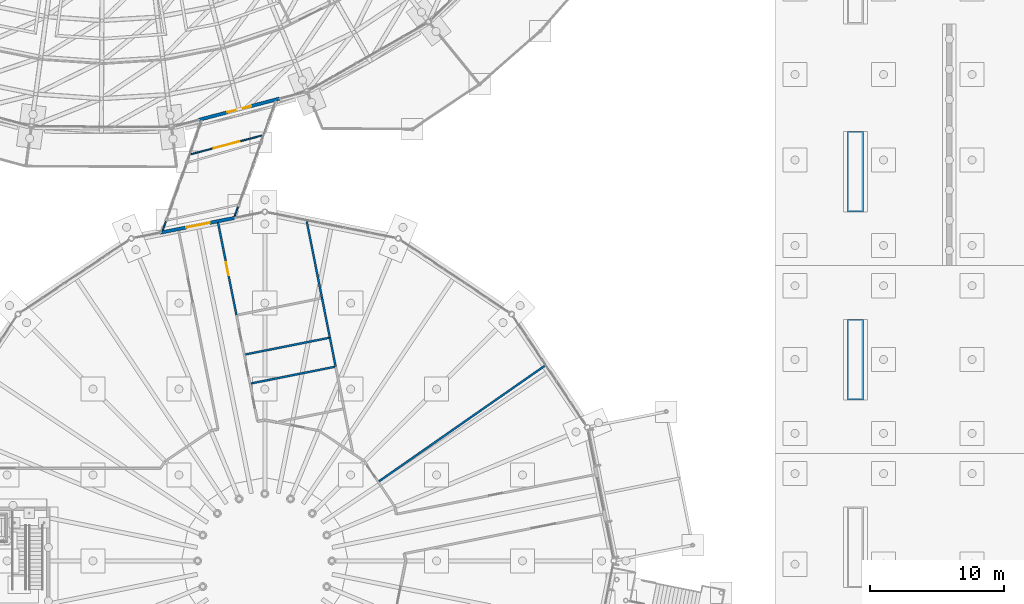
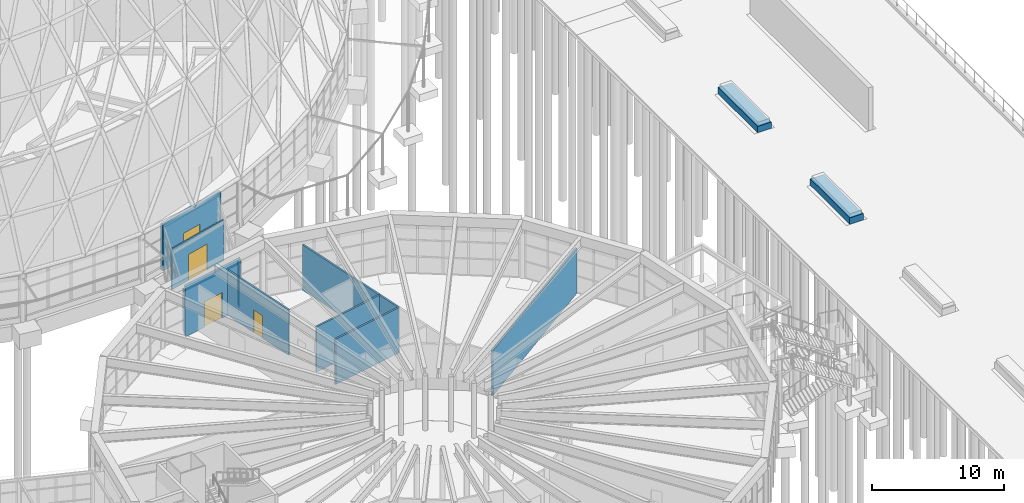
# One storey, part 174 of 226: 14 walls, 4 doors, 4 openings.
"""IFC4 building model written with IfcOpenShell, lengths in metres."""

from ifc_helpers import new_model, si_unit, direction, frame, frame_2d, origin, place, context, subcontext, project, spatial, polyline, rectangle, outline, extrude, material, layer, layer_set, type_object, element, fill, save


model = new_model("IFC4")

# Units and contexts
model_context = context("Model", 3, precision=1e-05, world=origin(), true_north=direction((0.0, 1.0)))
body_context = subcontext(model_context, "Body", "Model", "MODEL_VIEW")
ifc_project = project(units=[si_unit("LENGTHUNIT", "METRE"), si_unit("AREAUNIT", "SQUARE_METRE"), si_unit("VOLUMEUNIT", "CUBIC_METRE"), si_unit("PLANEANGLEUNIT", "RADIAN"), si_unit("MASSUNIT", "GRAM", prefix="KILO")], contexts=[model_context])

# Site, building, storey
site_placement = place(None, origin())
site = spatial("IfcSite", under=ifc_project, at=site_placement, CompositionType="ELEMENT")
building_placement = place(site_placement, origin())
building = spatial("IfcBuilding", under=site, at=building_placement, Name="Ceibo Conservatory and Research Tower", CompositionType="ELEMENT")
storey_placement = place(building_placement, origin())
storey = spatial("IfcBuildingStorey", under=building, at=storey_placement, Name="L00", CompositionType="ELEMENT", Elevation=0.0)

# Wall, opening, door
ifc_material_1 = material(Name="Aluminium and glass", Category="aluminium")
ifc_layer_1 = layer(ifc_material_1, 0.10009765625)
ifc_layer_set_1 = layer_set([ifc_layer_1], Name="Aluminium and glass")
wall_type_1 = type_object("IfcWallType", Name="Airlock screen wall 100", PredefinedType="PARTITIONING", material=ifc_layer_set_1)
wall_1_placement = place(storey_placement, frame((167.846923828125, 67.70556640625, 0.0), z_axis=(0.0, 0.0, 1.0), x_axis=(-0.967042735228, -0.254614116346, 0.0)))
wall_1 = element("IfcWall", 1, at=wall_1_placement, inside=storey, type_object=wall_type_1, Name="Airlock screen A-VC-AS0", PredefinedType="PARTITIONING", context=body_context, shape_type="SweptSolid", body=[
    extrude(rectangle(XDim=5.570068359375, YDim=0.10009765625, at=frame_2d((2.78515625, 0.0))), origin(), (0.0, 0.0, 1.0), 3.800048828125),
])
opening_1_placement = place(wall_1_placement, frame((1.784912109375, 0.0, 0.0)))
opening_1 = element("IfcOpeningElement", 2, at=opening_1_placement, cuts=wall_1, Name="Opening A-VC-AD0", PredefinedType="OPENING", context=body_context, shape_type="SweptSolid", body=[
    extrude(rectangle(XDim=2.0, YDim=2.39990234375, at=frame_2d((1.0, 1.199951171875))), frame((0.0, 0.06005859375, 0.0), z_axis=(0.0, -1.0, 0.0), x_axis=(1.0, 0.0, 0.0)), (0.0, 0.0, 1.0), 0.1201171875),
])
door_type_1 = type_object("IfcDoorType", Name="Gallery sliding door 2000x2400", OperationType="DOUBLE_DOOR_SLIDING", PredefinedType="DOOR", material=ifc_material_1)
door_1_placement = place(opening_1_placement, origin())
door_1 = element("IfcDoor", 3, at=door_1_placement, inside=storey, type_object=door_type_1, Name="Gallery airlock door A-VC-AD0", OperationType="DOUBLE_DOOR_SLIDING", OverallHeight=2.39990234375, OverallWidth=2.0, PredefinedType="DOOR", context=body_context, shape_type="SweptSolid", body=[
    extrude(rectangle(XDim=2.0, YDim=2.39990234375, at=frame_2d((1.0, 1.199951171875))), frame((0.0, 0.02490234375, 0.0), z_axis=(0.0, -1.0, 0.0), x_axis=(1.0, 0.0, 0.0)), (0.0, 0.0, 1.0), 0.050048828125),
])
fill(opening_1, door_1)

ifc_material_2 = material(Name="Plasterboard on metal studs, fire board")
ifc_layer_2 = layer(ifc_material_2, 0.14990234375)
ifc_layer_set_2 = layer_set([ifc_layer_2], Name="Plasterboard on metal studs, fire board")
wall_type_2 = type_object("IfcWallType", Name="Corridor wall 150 EI 60", PredefinedType="PARTITIONING", material=ifc_layer_set_2)
wall_2_placement = place(storey_placement, frame((164.511962890625, 61.224609375, 0.0), z_axis=(0.0, 0.0, 1.0), x_axis=(0.19520451404, -0.980762559287, 0.0)))
wall_2 = element("IfcWall", 4, at=wall_2_placement, inside=storey, type_object=wall_type_2, Name="Partition 00.027", PredefinedType="PARTITIONING", context=body_context, shape_type="SweptSolid", body=[
    extrude(rectangle(XDim=7.056396484375, YDim=0.14990234375, at=frame_2d((3.5283203125, 0.0))), origin(), (0.0, 0.0, 1.0), 4.199951171875),
])
opening_2_placement = place(wall_2_placement, frame((3.028076171875, 0.0, 0.0)))
opening_2 = element("IfcOpeningElement", 5, at=opening_2_placement, cuts=wall_2, Name="Opening VC00-06", PredefinedType="OPENING", context=body_context, shape_type="SweptSolid", body=[
    extrude(rectangle(XDim=1.0, YDim=2.10009765625, at=frame_2d((0.5, 1.050048828125))), frame((0.0, 0.0849609375, 0.0), z_axis=(0.0, -1.0, 0.0), x_axis=(1.0, 0.0, 0.0)), (0.0, 0.0, 1.0), 0.169921875),
])
ifc_material_3 = material(Name="Galvanised sheet steel DX51D", Category="steel")
door_type_2 = type_object("IfcDoorType", Name="Door fire single wide 1000x2100 EI 60 (right hand)", OperationType="SINGLE_SWING_RIGHT", PredefinedType="DOOR", material=ifc_material_3)
door_2_placement = place(opening_2_placement, origin())
door_2 = element("IfcDoor", 6, at=door_2_placement, inside=storey, type_object=door_type_2, Name="Visitor Centre First Aid Room door", OperationType="SINGLE_SWING_RIGHT", OverallHeight=2.10009765625, OverallWidth=1.0, PredefinedType="DOOR", context=body_context, shape_type="SweptSolid", body=[
    extrude(rectangle(XDim=1.0, YDim=2.10009765625, at=frame_2d((0.5, 1.050048828125))), frame((0.0, 0.02490234375, 0.0), z_axis=(0.0, -1.0, 0.0), x_axis=(1.0, 0.0, 0.0)), (0.0, 0.0, 1.0), 0.050048828125),
])
fill(opening_2, door_2)

# Walls
for number, where, z_axis, x_axis, name in (
    (7, (166.97265625, 49.217529296875, 0.0), (0.0, 0.0, 1.0), (0.980788331428, 0.195074982854, 0.0), "Partition 00.035"),
    (8, (166.54345703125, 51.375244140625, 0.0), (0.0, 0.0, 1.0), (0.980788331428, 0.195074982854, 0.0), "Partition 00.037"),
):
    element("IfcWall", number, at=place(storey_placement, frame(where, z_axis=z_axis, x_axis=x_axis)), inside=storey, type_object=wall_type_2, Name=name, PredefinedType="PARTITIONING", context=body_context, shape_type="SweptSolid", body=[
        extrude(rectangle(XDim=6.35888671875, YDim=0.14990234375, at=frame_2d((3.179443359375, 0.0))), origin(), (0.0, 0.0, 1.0), 4.199951171875),
    ])
wall_3_placement = place(storey_placement, frame((172.848876953125, 52.62939453125, 0.0), z_axis=(0.0, 0.0, 1.0), x_axis=(0.195091656081, -0.98078501504, 0.0)))
element("IfcWall", 9, at=wall_3_placement, inside=storey, type_object=wall_type_2, Name="Partition 00.038", PredefinedType="PARTITIONING", context=body_context, shape_type="SweptSolid", body=[
    extrude(rectangle(XDim=2.199951171875, YDim=0.14990234375, at=frame_2d((1.10009765625, 0.0))), origin(), (0.0, 0.0, 1.0), 4.199951171875),
])
wall_4_placement = place(storey_placement, frame((172.263671875, 55.57177734375, 0.0), z_axis=(0.0, 0.0, 1.0), x_axis=(0.195067475085, -0.980789824664, 0.0)))
element("IfcWall", 10, at=wall_4_placement, inside=storey, type_object=wall_type_2, Name="Partition 00.040", PredefinedType="PARTITIONING", context=body_context, shape_type="SweptSolid", body=[
    extrude(rectangle(XDim=3.0, YDim=0.14990234375, at=frame_2d((1.5, 0.0))), origin(), (0.0, 0.0, 1.0), 4.199951171875),
])
wall_5_placement = place(storey_placement, frame((171.125732421875, 61.293212890625, 0.0), z_axis=(0.0, 0.0, 1.0), x_axis=(0.195069736561, -0.98078937488, 0.0)))
element("IfcWall", 11, at=wall_5_placement, inside=storey, type_object=wall_type_2, Name="Partition 00.041", PredefinedType="PARTITIONING", context=body_context, shape_type="SweptSolid", body=[
    extrude(rectangle(XDim=5.83349609375, YDim=0.14990234375, at=frame_2d((2.916748046875, 0.0))), origin(), (0.0, 0.0, 1.0), 4.199951171875),
])
wall_6_placement = place(storey_placement, frame((176.508544921875, 41.928466796875, 0.0), z_axis=(0.0, 0.0, 1.0), x_axis=(0.820475613746, 0.571681526068, 0.0)))
element("IfcWall", 12, at=wall_6_placement, inside=storey, type_object=wall_type_2, Name="Partition 00.046", PredefinedType="PARTITIONING", context=body_context, shape_type="SweptSolid", body=[
    extrude(rectangle(XDim=15.054931640625, YDim=0.14990234375, at=frame_2d((7.52734375, 0.0))), origin(), (0.0, 0.0, 1.0), 4.199951171875),
])

# Wall, opening, door
ifc_material_4 = material(Name="Concrete C35/45", Category="concrete")
ifc_layer_3 = layer(ifc_material_4, 0.25)
ifc_layer_set_3 = layer_set([ifc_layer_3], Name="Concrete C35/45")
wall_type_3 = type_object("IfcWallType", Name="Drum link wall 250", PredefinedType="SOLIDWALL", material=ifc_layer_set_3)
wall_7_placement = place(storey_placement, frame((163.103515625, 68.86083984375, 0.0), z_axis=(0.0, 0.0, 1.0), x_axis=(0.967039793651, 0.254625288407, 0.0)))
wall_7 = element("IfcWall", 13, at=wall_7_placement, inside=storey, type_object=wall_type_3, Name="Drum door stub wall A-W19", PredefinedType="SOLIDWALL", context=body_context, shape_type="SweptSolid", body=[
    extrude(rectangle(XDim=6.191162109375, YDim=0.25, at=frame_2d((3.095703125, 0.0))), origin(), (0.0, 0.0, 1.0), 4.338134765625),
])
opening_3_placement = place(wall_7_placement, frame((2.195556640625, 0.0, 0.0)))
opening_3 = element("IfcOpeningElement", 14, at=opening_3_placement, cuts=wall_7, Name="Opening A-D05", PredefinedType="OPENING", context=body_context, shape_type="SweptSolid", body=[
    extrude(rectangle(XDim=1.800048828125, YDim=2.39990234375, at=frame_2d((0.89990234375, 1.199951171875))), frame((0.0, 0.135009765625, 0.0), z_axis=(0.0, -1.0, 0.0), x_axis=(1.0, 0.0, 0.0)), (0.0, 0.0, 1.0), 0.27001953125),
])
door_type_3 = type_object("IfcDoorType", Name="Drum double door 1800x2400", OperationType="DOUBLE_DOOR_SINGLE_SWING", PredefinedType="DOOR", material=ifc_material_1)
door_3_placement = place(opening_3_placement, origin())
door_3 = element("IfcDoor", 15, at=door_3_placement, inside=storey, type_object=door_type_3, Name="Drum door A-D05", OperationType="DOUBLE_DOOR_SINGLE_SWING", OverallHeight=2.39990234375, OverallWidth=1.800048828125, PredefinedType="DOOR", context=body_context, shape_type="SweptSolid", body=[
    extrude(rectangle(XDim=1.800048828125, YDim=2.39990234375, at=frame_2d((0.89990234375, 1.199951171875))), frame((0.0, 0.02490234375, 0.0), z_axis=(0.0, -1.0, 0.0), x_axis=(1.0, 0.0, 0.0)), (0.0, 0.0, 1.0), 0.050048828125),
])
fill(opening_3, door_3)

# Walls
ifc_layer_4 = layer(ifc_material_1, 0.10009765625)
ifc_layer_set_4 = layer_set([ifc_layer_4], Name="Aluminium and glass")
wall_type_4 = type_object("IfcWallType", Name="Gallery end infill wall 100", PredefinedType="PARTITIONING", material=ifc_layer_set_4)
for number, where, z_axis, x_axis, name in (
    (16, (166.010009765625, 62.390380859375, 0.0), (0.0, 0.0, 1.0), (-0.33521314133, -0.942142319334, 0.0), "Gallery end infill A-VC-CKN1"),
    (17, (160.64208984375, 61.32275390625, 0.0), (0.0, 0.0, 1.0), (-0.33511137556, -0.942178521285, 0.0), "Gallery end infill A-VC-CKS1"),
):
    element("IfcWall", number, at=place(storey_placement, frame(where, z_axis=z_axis, x_axis=x_axis)), inside=storey, type_object=wall_type_4, Name=name, PredefinedType="PARTITIONING", context=body_context, shape_type="SweptSolid", body=[
        extrude(outline(polyline([(0.0, -0.050048828125), (0.787353515625, -0.050048828125), (0.727783203125, 0.050048828125), (0.0, 0.050048828125), (0.0, -0.050048828125)])), origin(), (0.0, 0.0, 1.0), 3.800048828125),
    ])

# Wall, opening, door
ifc_layer_5 = layer(ifc_material_4, 0.25)
ifc_layer_set_5 = layer_set([ifc_layer_5], Name="Concrete C35/45")
wall_type_5 = type_object("IfcWallType", Name="Pavilion link wall 250", PredefinedType="SOLIDWALL", material=ifc_layer_set_5)
wall_8_placement = place(storey_placement, frame((165.76611328125, 61.5556640625, 0.0), z_axis=(0.0, 0.0, 1.0), x_axis=(-0.980781746831, -0.195108085642, 0.0)))
wall_8 = element("IfcWall", 18, at=wall_8_placement, inside=storey, type_object=wall_type_5, Name="Pavilion link wall VC-W05", PredefinedType="SOLIDWALL", context=body_context, shape_type="SweptSolid", body=[
    extrude(outline(polyline([(-0.07470703125, -0.125), (5.514892578125, -0.125), (5.664306640625, 0.125), (0.07470703125, 0.125), (-0.07470703125, -0.125)])), origin(), (0.0, 0.0, 1.0), 4.64892578125),
])
opening_4_placement = place(wall_8_placement, frame((1.894775390625, 0.0, 0.0)))
opening_4 = element("IfcOpeningElement", 19, at=opening_4_placement, cuts=wall_8, Name="Opening VC-D02", PredefinedType="OPENING", context=body_context, shape_type="SweptSolid", body=[
    extrude(rectangle(XDim=1.800048828125, YDim=2.39990234375, at=frame_2d((0.89990234375, 1.199951171875))), frame((0.0, 0.135009765625, 0.0), z_axis=(0.0, -1.0, 0.0), x_axis=(1.0, 0.0, 0.0)), (0.0, 0.0, 1.0), 0.27001953125),
])
door_type_4 = type_object("IfcDoorType", Name="Pavilion link double door 1800x2400", OperationType="DOUBLE_DOOR_SINGLE_SWING", PredefinedType="DOOR", material=ifc_material_1)
door_4_placement = place(opening_4_placement, origin())
door_4 = element("IfcDoor", 20, at=door_4_placement, inside=storey, type_object=door_type_4, Name="Pavilion door VC-D02", OperationType="DOUBLE_DOOR_SINGLE_SWING", OverallHeight=2.39990234375, OverallWidth=1.800048828125, PredefinedType="DOOR", context=body_context, shape_type="SweptSolid", body=[
    extrude(rectangle(XDim=1.800048828125, YDim=2.39990234375, at=frame_2d((0.89990234375, 1.199951171875))), frame((0.0, 0.02490234375, 0.0), z_axis=(0.0, -1.0, 0.0), x_axis=(1.0, 0.0, 0.0)), (0.0, 0.0, 1.0), 0.050048828125),
])
fill(opening_4, door_4)

# Walls
ifc_material_5 = material(Name="Concrete C30/37", Category="concrete")
ifc_layer_6 = layer(ifc_material_5, 1.199951171875)
ifc_layer_set_6 = layer_set([ifc_layer_6], Name="Concrete C30/37")
wall_type_6 = type_object("IfcWallType", Name="Planter wall 1200", PredefinedType="PARAPET", material=ifc_layer_set_6)
for number, where, z_axis, x_axis, name in (
    (21, (212.0, 48.0, 0.0), (0.0, 0.0, 1.0), (0.0, 1.0, 0.0), "Planter 3"),
    (22, (212.0, 62.0, 0.0), (0.0, 0.0, 1.0), (0.0, 1.0, 0.0), "Planter 4"),
):
    element("IfcWall", number, at=place(storey_placement, frame(where, z_axis=z_axis, x_axis=x_axis)), inside=storey, type_object=wall_type_6, Name=name, PredefinedType="PARAPET", context=body_context, shape_type="SweptSolid", body=[
        extrude(rectangle(XDim=6.0, YDim=1.199951171875, at=frame_2d((3.0, 0.0))), origin(), (0.0, 0.0, 1.0), 0.60009765625),
    ])

save(model, "model.ifc")
